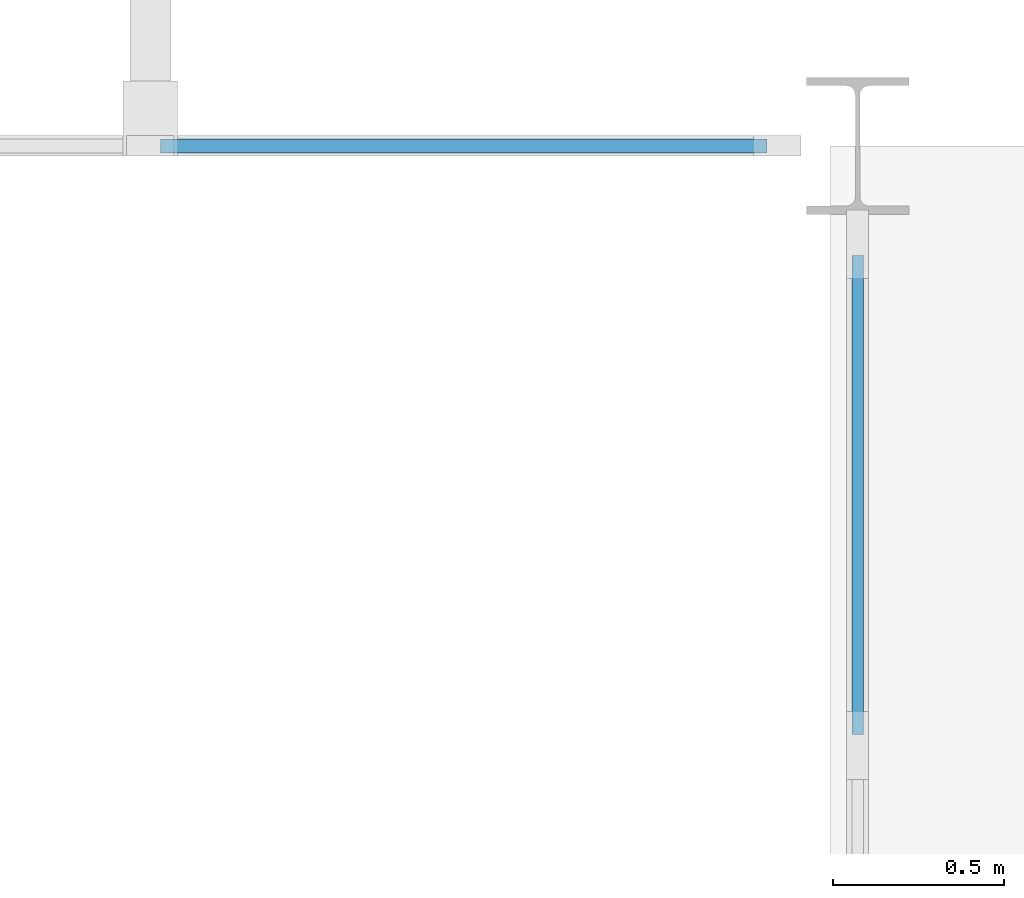
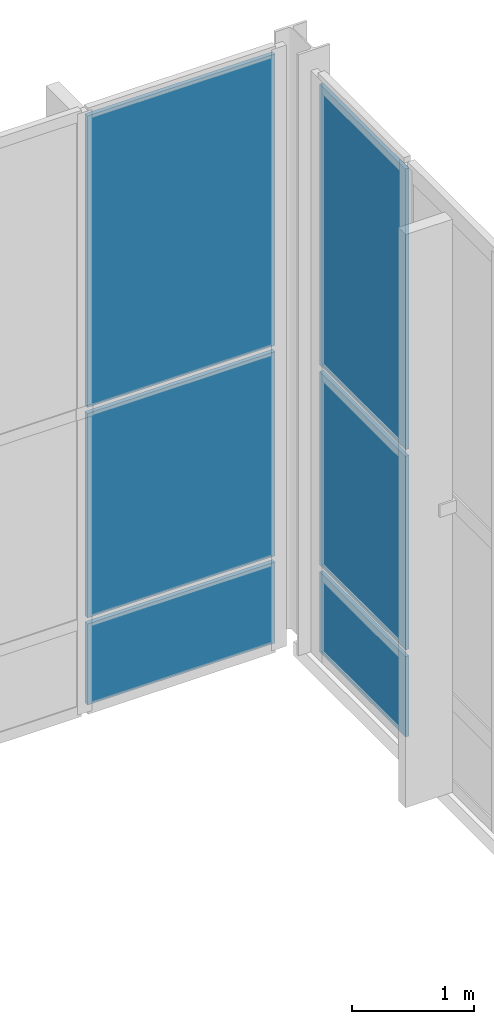
# One storey, part 69 of 105: 6 plates, 2 elements without a shape of their own.
"""IFC4 building model written with IfcOpenShell, lengths in metres."""

from ifc_helpers import new_model, si_unit, direction, frame, origin, origin_2d, place, context, subcontext, project, spatial, rectangle, extrude, material, layer, layer_set, type_object, element, aggregate, save


model = new_model("IFC4")

# Units and contexts
model_context = context("Model", 3, precision=1e-05, world=origin(), true_north=direction((0.0, 1.0)))
body_context = subcontext(model_context, "Body", "Model", "MODEL_VIEW")
ifc_project = project(units=[si_unit("LENGTHUNIT", "METRE"), si_unit("AREAUNIT", "SQUARE_METRE"), si_unit("VOLUMEUNIT", "CUBIC_METRE"), si_unit("PLANEANGLEUNIT", "RADIAN"), si_unit("MASSUNIT", "GRAM", prefix="KILO")], contexts=[model_context])

# Site, building, storey
site_placement = place(None, origin())
site = spatial("IfcSite", under=ifc_project, at=site_placement, CompositionType="ELEMENT")
building_placement = place(site_placement, origin())
building = spatial("IfcBuilding", under=site, at=building_placement, Name="Tizgana Railside Sports Hall", CompositionType="ELEMENT")
storey_placement = place(building_placement, frame((0.0, 0.0, 6.0)))
storey = spatial("IfcBuildingStorey", under=building, at=storey_placement, Name="L01", CompositionType="ELEMENT", Elevation=6.0)

# Curtain wall, plates
ifc_material_1 = material(Name="Anodised aluminium and glass", Category="aluminium")
curtain_wall_type_1 = type_object("IfcCurtainWallType", Name="Unitised Curtain Wall Passage 1800", PredefinedType="NOTDEFINED", material=ifc_material_1)
curtain_wall_1_placement = place(storey_placement, origin())
curtain_wall_1 = element("IfcCurtainWall", 1, at=curtain_wall_1_placement, inside=storey, type_object=curtain_wall_type_1, Name="L01 Curtain Wall CW-0069", PredefinedType="NOTDEFINED")
ifc_material_2 = material(Name="Double low-E laminated glass", Category="glass")
ifc_layer_1 = layer(ifc_material_2, 0.033935546875, Name="Double low-E laminated glass")
ifc_layer_set_1 = layer_set([ifc_layer_1], Name="Double low-E laminated glass")
plate_type_1 = type_object("IfcPlateType", Name="Acoustic Laminated Glazing Panel 34", PredefinedType="CURTAIN_PANEL", material=ifc_layer_set_1)
plate_1_placement = place(storey_placement, frame((172.199951171875, 116.57958984375, 0.06494140625), z_axis=(0.0, 0.0, 1.0), x_axis=(0.0, 1.0, 0.0)))
plate_1 = element("IfcPlate", 2, at=plate_1_placement, type_object=plate_type_1, Name="CW-06 panel 6.1", PredefinedType="CURTAIN_PANEL", context=body_context, shape_type="SweptSolid", body=[
    extrude(rectangle(XDim=1.40087890625, YDim=0.033935546875, at=origin_2d()), origin(), (0.0, 0.0, 1.0), 0.802490234375),
])
plate_2_placement = place(storey_placement, frame((172.199951171875, 116.57958984375, 0.932373046875), z_axis=(0.0, 0.0, 1.0), x_axis=(0.0, 1.0, 0.0)))
plate_2 = element("IfcPlate", 3, at=plate_2_placement, type_object=plate_type_1, Name="CW-06 panel 6.2", PredefinedType="CURTAIN_PANEL", context=body_context, shape_type="SweptSolid", body=[
    extrude(rectangle(XDim=1.40087890625, YDim=0.033935546875, at=origin_2d()), origin(), (0.0, 0.0, 1.0), 1.93505859375),
])
plate_3_placement = place(storey_placement, frame((172.199951171875, 116.57958984375, 2.9326171875), z_axis=(0.0, 0.0, 1.0), x_axis=(0.0, 1.0, 0.0)))
plate_3 = element("IfcPlate", 4, at=plate_3_placement, type_object=plate_type_1, Name="CW-06 panel 6.3", PredefinedType="CURTAIN_PANEL", context=body_context, shape_type="SweptSolid", body=[
    extrude(rectangle(XDim=1.40087890625, YDim=0.033935546875, at=origin_2d()), origin(), (0.0, 0.0, 1.0), 2.802490234375),
])
aggregate(curtain_wall_1, [plate_1, plate_2, plate_3])

curtain_wall_type_2 = type_object("IfcCurtainWallType", Name="Unitised Curtain Wall WestHall 1560", PredefinedType="NOTDEFINED", material=ifc_material_1)
curtain_wall_2_placement = place(storey_placement, origin())
curtain_wall_2 = element("IfcCurtainWall", 5, at=curtain_wall_2_placement, inside=storey, type_object=curtain_wall_type_2, Name="L01 Curtain Wall CW-0054", PredefinedType="NOTDEFINED")
ifc_layer_2 = layer(ifc_material_2, 0.0400390625, Name="Double low-E laminated glass")
ifc_layer_set_2 = layer_set([ifc_layer_2], Name="Double low-E laminated glass")
plate_type_2 = type_object("IfcPlateType", Name="High-Span Tempered Glazing Panel 40", PredefinedType="CURTAIN_PANEL", material=ifc_layer_set_2)
plate_4_placement = place(storey_placement, frame((171.04833984375, 117.60009765625, 0.06005859375), z_axis=(0.0, 0.0, 1.0), x_axis=(1.0, 0.0, 0.0)))
plate_4 = element("IfcPlate", 6, at=plate_4_placement, type_object=plate_type_2, Name="CW-07 panel 3.1", PredefinedType="CURTAIN_PANEL", context=body_context, shape_type="SweptSolid", body=[
    extrude(rectangle(XDim=1.7734375, YDim=0.0400390625, at=origin_2d()), origin(), (0.0, 0.0, 1.0), 0.81005859375),
])
plate_5_placement = place(storey_placement, frame((171.04833984375, 117.60009765625, 0.929931640625), z_axis=(0.0, 0.0, 1.0), x_axis=(1.0, 0.0, 0.0)))
plate_5 = element("IfcPlate", 7, at=plate_5_placement, type_object=plate_type_2, Name="CW-07 panel 3.2", PredefinedType="CURTAIN_PANEL", context=body_context, shape_type="SweptSolid", body=[
    extrude(rectangle(XDim=1.7734375, YDim=0.0400390625, at=origin_2d()), origin(), (0.0, 0.0, 1.0), 2.0400390625),
])
plate_6_placement = place(storey_placement, frame((171.04833984375, 117.60009765625, 3.0302734375), z_axis=(0.0, 0.0, 1.0), x_axis=(1.0, 0.0, 0.0)))
plate_6 = element("IfcPlate", 8, at=plate_6_placement, type_object=plate_type_2, Name="CW-07 panel 3.3", PredefinedType="CURTAIN_PANEL", context=body_context, shape_type="SweptSolid", body=[
    extrude(rectangle(XDim=1.7734375, YDim=0.0400390625, at=origin_2d()), origin(), (0.0, 0.0, 1.0), 2.909912109375),
])
aggregate(curtain_wall_2, [plate_4, plate_5, plate_6])

save(model, "model.ifc")
